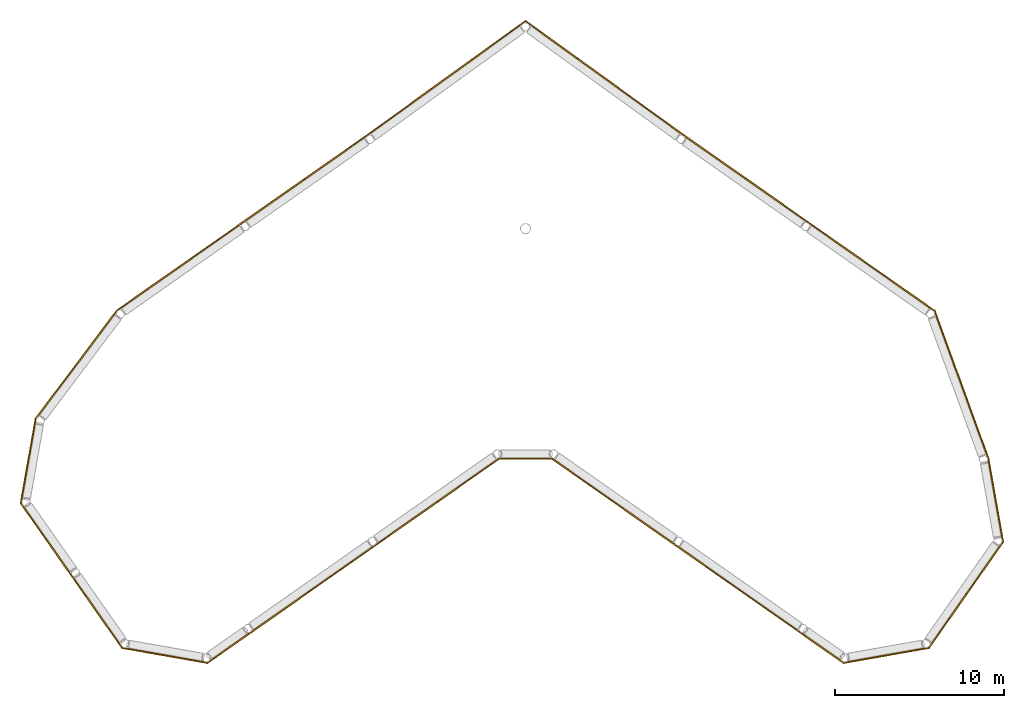
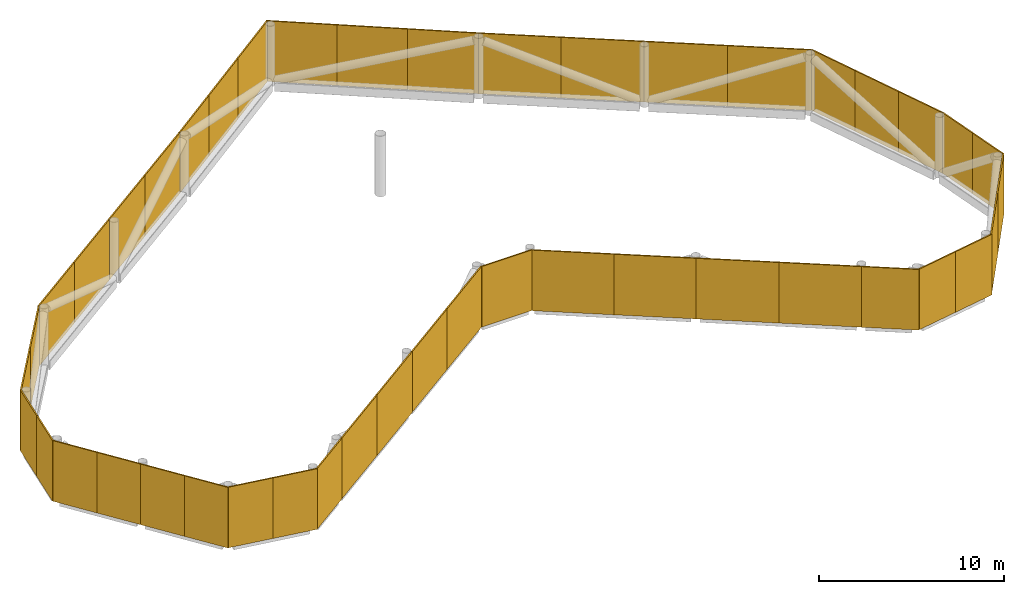
# One storey, part 4 of 4: 44 coverings.
"""IFC4 building model written with IfcOpenShell, lengths in metres."""

from ifc_helpers import new_model, si_unit, direction, frame, origin, origin_2d, place, context, subcontext, project, spatial, rectangle, extrude, material, layer, layer_set, type_object, element, save


model = new_model("IFC4")

# Units and contexts
model_context = context("Model", 3, precision=1e-05, world=origin(), true_north=direction((0.0, 1.0)))
body_context = subcontext(model_context, "Body", "Model", "MODEL_VIEW")
ifc_project = project(units=[si_unit("LENGTHUNIT", "METRE"), si_unit("AREAUNIT", "SQUARE_METRE"), si_unit("VOLUMEUNIT", "CUBIC_METRE"), si_unit("PLANEANGLEUNIT", "RADIAN"), si_unit("MASSUNIT", "GRAM", prefix="KILO")], contexts=[model_context])

# Site, building, storey
site_placement = place(None, origin())
site = spatial("IfcSite", under=ifc_project, at=site_placement, CompositionType="ELEMENT")
building_placement = place(site_placement, origin())
building = spatial("IfcBuilding", under=site, at=building_placement, Name="Tel Ilan Convention Tower", CompositionType="ELEMENT")
storey_placement = place(building_placement, frame((0.0, 0.0, 322.800048828125)))
storey = spatial("IfcBuildingStorey", under=building, at=storey_placement, Name="L76", CompositionType="ELEMENT", Elevation=322.800048828125)

# Coverings
ifc_material = material(Name="Perforated aluminium sheet, bronze anodised", Category="aluminium")
ifc_layer = layer(ifc_material, 0.080078125)
ifc_layer_set = layer_set([ifc_layer], Name="CROWN SCREEN CLADDING 80")
covering_type = type_object("IfcCoveringType", Name="CROWN SCREEN CLADDING 80", PredefinedType="CLADDING", material=ifc_layer_set)
covering_1_placement = place(storey_placement, frame((-17.488525390625, -24.74658203125, 0.0), z_axis=(0.0, 0.0, 1.0), x_axis=(0.819059611512, 0.573708421404, 0.0)))
element("IfcCovering", 1, at=covering_1_placement, inside=storey, type_object=covering_type, Name="Crown screen", PredefinedType="CLADDING", context=body_context, shape_type="SweptSolid", body=[
    extrude(rectangle(XDim=3.119873046875, YDim=0.080078125, at=origin_2d()), origin(), (0.0, 0.0, 1.0), 4.0),
])
for number, where, z_axis, x_axis, name in (
    (2, (-14.367919921875, -22.56103515625, 0.0), (0.0, 0.0, 1.0), (0.819148388269, 0.573581657653, 0.0), "Crown screen"),
    (3, (-10.681884765625, -19.980224609375, 0.0), (0.0, 0.0, 1.0), (0.819148388269, 0.573581657653, 0.0), "Crown screen"),
):
    element("IfcCovering", number, at=place(storey_placement, frame(where, z_axis=z_axis, x_axis=x_axis)), inside=storey, type_object=covering_type, Name=name, PredefinedType="CLADDING", context=body_context, shape_type="SweptSolid", body=[
        extrude(rectangle(XDim=4.499755859375, YDim=0.080078125, at=origin_2d()), origin(), (0.0, 0.0, 1.0), 4.0),
    ])
for number, where, z_axis, x_axis, name in (
    (4, (-7.014404296875, -17.412109375, 0.0), (0.0, 0.0, 1.0), (0.819184940043, 0.573529453477, 0.0), "Crown screen"),
    (5, (-3.365234375, -14.857421875, 0.0), (0.0, 0.0, 1.0), (0.819184940043, 0.573529453477, 0.0), "Crown screen"),
):
    element("IfcCovering", number, at=place(storey_placement, frame(where, z_axis=z_axis, x_axis=x_axis)), inside=storey, type_object=covering_type, Name=name, PredefinedType="CLADDING", context=body_context, shape_type="SweptSolid", body=[
        extrude(rectangle(XDim=4.45458984375, YDim=0.080078125, at=origin_2d()), origin(), (0.0, 0.0, 1.0), 4.0),
    ])
covering_2_placement = place(storey_placement, frame((0.0400390625, -13.60302734375, 0.0), z_axis=(0.0, 0.0, 1.0), x_axis=(1.0, 0.0, 0.0)))
element("IfcCovering", 6, at=covering_2_placement, inside=storey, type_object=covering_type, Name="Crown screen", PredefinedType="CLADDING", context=body_context, shape_type="SweptSolid", body=[
    extrude(rectangle(XDim=3.147216796875, YDim=0.080078125, at=origin_2d()), origin(), (0.0, 0.0, 1.0), 4.0),
])
for number, where, z_axis, x_axis, name in (
    (7, (3.430908203125, -14.9033203125, 0.0), (0.0, 0.0, 1.0), (0.819184940043, -0.573529453477, 0.0), "Crown screen"),
    (8, (7.079833984375, -17.4580078125, 0.0), (0.0, 0.0, 1.0), (0.819184940043, -0.573529453477, 0.0), "Crown screen"),
):
    element("IfcCovering", number, at=place(storey_placement, frame(where, z_axis=z_axis, x_axis=x_axis)), inside=storey, type_object=covering_type, Name=name, PredefinedType="CLADDING", context=body_context, shape_type="SweptSolid", body=[
        extrude(rectangle(XDim=4.45458984375, YDim=0.080078125, at=origin_2d()), origin(), (0.0, 0.0, 1.0), 4.0),
    ])
for number, where, z_axis, x_axis, name in (
    (9, (10.747314453125, -20.02587890625, 0.0), (0.0, 0.0, 1.0), (0.819148388269, -0.573581657653, 0.0), "Crown screen"),
    (10, (14.433349609375, -22.60693359375, 0.0), (0.0, 0.0, 1.0), (0.819148388269, -0.573581657653, 0.0), "Crown screen"),
):
    element("IfcCovering", number, at=place(storey_placement, frame(where, z_axis=z_axis, x_axis=x_axis)), inside=storey, type_object=covering_type, Name=name, PredefinedType="CLADDING", context=body_context, shape_type="SweptSolid", body=[
        extrude(rectangle(XDim=4.499755859375, YDim=0.080078125, at=origin_2d()), origin(), (0.0, 0.0, 1.0), 4.0),
    ])
covering_3_placement = place(storey_placement, frame((17.55419921875, -24.79248046875, 0.0), z_axis=(0.0, 0.0, 1.0), x_axis=(0.819059611512, -0.573708421404, 0.0)))
element("IfcCovering", 11, at=covering_3_placement, inside=storey, type_object=covering_type, Name="Crown screen", PredefinedType="CLADDING", context=body_context, shape_type="SweptSolid", body=[
    extrude(rectangle(XDim=3.119873046875, YDim=0.080078125, at=origin_2d()), origin(), (0.0, 0.0, 1.0), 4.0),
])
for number, where, z_axis, x_axis, name in (
    (12, (20.098876953125, -25.435302734375, 0.0), (0.0, 0.0, 1.0), (0.984816554197, 0.173598256268, 0.0), "Crown screen"),
    (13, (22.61962890625, -24.990966796875, 0.0), (0.0, 0.0, 1.0), (0.984816554197, 0.173598256268, 0.0), "Crown screen"),
):
    element("IfcCovering", number, at=place(storey_placement, frame(where, z_axis=z_axis, x_axis=x_axis)), inside=storey, type_object=covering_type, Name=name, PredefinedType="CLADDING", context=body_context, shape_type="SweptSolid", body=[
        extrude(rectangle(XDim=2.5595703125, YDim=0.080078125, at=origin_2d()), origin(), (0.0, 0.0, 1.0), 4.0),
    ])
for number, where, z_axis, x_axis, name in (
    (14, (24.959228515625, -23.17822265625, 0.0), (0.0, 0.0, 1.0), (0.573607436495, 0.81913033688, 0.0), "Crown screen"),
    (15, (27.150634765625, -20.048828125, 0.0), (0.0, 0.0, 1.0), (0.573607436495, 0.81913033688, 0.0), "Crown screen"),
):
    element("IfcCovering", number, at=place(storey_placement, frame(where, z_axis=z_axis, x_axis=x_axis)), inside=storey, type_object=covering_type, Name=name, PredefinedType="CLADDING", context=body_context, shape_type="SweptSolid", body=[
        extrude(rectangle(XDim=3.8203125, YDim=0.080078125, at=origin_2d()), origin(), (0.0, 0.0, 1.0), 4.0),
    ])
for number, where, z_axis, x_axis, name in (
    (16, (27.99853515625, -17.240478515625, 0.0), (0.0, 0.0, 1.0), (-0.173598256268, 0.984816554197, 0.0), "Crown screen"),
    (17, (27.562255859375, -14.766357421875, 0.0), (0.0, 0.0, 1.0), (-0.173598256268, 0.984816554197, 0.0), "Crown screen"),
):
    element("IfcCovering", number, at=place(storey_placement, frame(where, z_axis=z_axis, x_axis=x_axis)), inside=storey, type_object=covering_type, Name=name, PredefinedType="CLADDING", context=body_context, shape_type="SweptSolid", body=[
        extrude(rectangle(XDim=2.51220703125, YDim=0.080078125, at=origin_2d()), origin(), (0.0, 0.0, 1.0), 4.0),
    ])
for number, where, z_axis, x_axis, name in (
    (18, (26.80859375, -12.0791015625, 0.0), (0.0, 0.0, 1.0), (-0.342225395125, 0.939617889853, 0.0), "Crown screen"),
    (19, (25.7509765625, -9.17529296875, 0.0), (0.0, 0.0, 1.0), (-0.342225395125, 0.939617889853, 0.0), "Crown screen"),
    (20, (24.693359375, -6.271240234375, 0.0), (0.0, 0.0, 1.0), (-0.342225395125, 0.939617889853, 0.0), "Crown screen"),
):
    element("IfcCovering", number, at=place(storey_placement, frame(where, z_axis=z_axis, x_axis=x_axis)), inside=storey, type_object=covering_type, Name=name, PredefinedType="CLADDING", context=body_context, shape_type="SweptSolid", body=[
        extrude(rectangle(XDim=3.090576171875, YDim=0.080078125, at=origin_2d()), origin(), (0.0, 0.0, 1.0), 4.0),
    ])
for number, where, z_axis, x_axis, name in (
    (21, (22.28369140625, -3.530029296875, 0.0), (0.0, 0.0, 1.0), (-0.819096180436, 0.573656209934, 0.0), "Crown screen"),
    (22, (18.560302734375, -0.92236328125, 0.0), (0.0, 0.0, 1.0), (-0.819096180436, 0.573656209934, 0.0), "Crown screen"),
):
    element("IfcCovering", number, at=place(storey_placement, frame(where, z_axis=z_axis, x_axis=x_axis)), inside=storey, type_object=covering_type, Name=name, PredefinedType="CLADDING", context=body_context, shape_type="SweptSolid", body=[
        extrude(rectangle(XDim=4.545654296875, YDim=0.080078125, at=origin_2d()), origin(), (0.0, 0.0, 1.0), 4.0),
    ])
for number, where, z_axis, x_axis, name in (
    (23, (14.85595703125, 1.671630859375, 0.0), (0.0, 0.0, 1.0), (-0.819148388189, 0.573581657768, 0.0), "Crown screen"),
    (24, (11.1708984375, 4.252197265625, 0.0), (0.0, 0.0, 1.0), (-0.819148388189, 0.573581657768, 0.0), "Crown screen"),
):
    element("IfcCovering", number, at=place(storey_placement, frame(where, z_axis=z_axis, x_axis=x_axis)), inside=storey, type_object=covering_type, Name=name, PredefinedType="CLADDING", context=body_context, shape_type="SweptSolid", body=[
        extrude(rectangle(XDim=4.498779296875, YDim=0.080078125, at=origin_2d()), origin(), (0.0, 0.0, 1.0), 4.0),
    ])
for number, where, z_axis, x_axis, name in (
    (25, (7.768310546875, 6.668701171875, 0.0), (0.0, 0.0, 1.0), (-0.810862932708, 0.585236109925, 0.0), "Crown screen"),
    (26, (4.648193359375, 8.9208984375, 0.0), (0.0, 0.0, 1.0), (-0.810862932708, 0.585236109925, 0.0), "Crown screen"),
    (27, (1.52783203125, 11.173095703125, 0.0), (0.0, 0.0, 1.0), (-0.810862932708, 0.585236109925, 0.0), "Crown screen"),
    (28, (-1.592529296875, 11.126220703125, 0.0), (0.0, 0.0, 1.0), (-0.810862932708, -0.585236109925, 0.0), "Crown screen"),
    (29, (-4.712890625, 8.8740234375, 0.0), (0.0, 0.0, 1.0), (-0.810862932708, -0.585236109925, 0.0), "Crown screen"),
    (30, (-7.833251953125, 6.6220703125, 0.0), (0.0, 0.0, 1.0), (-0.810862932708, -0.585236109925, 0.0), "Crown screen"),
):
    element("IfcCovering", number, at=place(storey_placement, frame(where, z_axis=z_axis, x_axis=x_axis)), inside=storey, type_object=covering_type, Name=name, PredefinedType="CLADDING", context=body_context, shape_type="SweptSolid", body=[
        extrude(rectangle(XDim=3.84814453125, YDim=0.080078125, at=origin_2d()), origin(), (0.0, 0.0, 1.0), 4.0),
    ])
for number, where, z_axis, x_axis, name in (
    (31, (-11.236328125, 4.206298828125, 0.0), (0.0, 0.0, 1.0), (-0.819148388269, -0.573581657653, 0.0), "Crown screen"),
    (32, (-14.921630859375, 1.625732421875, 0.0), (0.0, 0.0, 1.0), (-0.819148388269, -0.573581657653, 0.0), "Crown screen"),
):
    element("IfcCovering", number, at=place(storey_placement, frame(where, z_axis=z_axis, x_axis=x_axis)), inside=storey, type_object=covering_type, Name=name, PredefinedType="CLADDING", context=body_context, shape_type="SweptSolid", body=[
        extrude(rectangle(XDim=4.498779296875, YDim=0.080078125, at=origin_2d()), origin(), (0.0, 0.0, 1.0), 4.0),
    ])
for number, where, z_axis, x_axis, name in (
    (33, (-18.616455078125, -0.961669921875, 0.0), (0.0, 0.0, 1.0), (-0.819096180516, -0.57365620982, 0.0), "Crown screen"),
    (34, (-22.321533203125, -3.556396484375, 0.0), (0.0, 0.0, 1.0), (-0.819096180516, -0.57365620982, 0.0), "Crown screen"),
):
    element("IfcCovering", number, at=place(storey_placement, frame(where, z_axis=z_axis, x_axis=x_axis)), inside=storey, type_object=covering_type, Name=name, PredefinedType="CLADDING", context=body_context, shape_type="SweptSolid", body=[
        extrude(rectangle(XDim=4.523193359375, YDim=0.080078125, at=origin_2d()), origin(), (0.0, 0.0, 1.0), 4.0),
    ])
for number, where, z_axis, x_axis, name in (
    (35, (-25.3671875, -6.462890625, 0.0), (0.0, 0.0, 1.0), (-0.600648741526, -0.799513032604, 0.0), "Crown screen"),
    (36, (-27.771484375, -9.6630859375, 0.0), (0.0, 0.0, 1.0), (-0.600648741526, -0.799513032604, 0.0), "Crown screen"),
):
    element("IfcCovering", number, at=place(storey_placement, frame(where, z_axis=z_axis, x_axis=x_axis)), inside=storey, type_object=covering_type, Name=name, PredefinedType="CLADDING", context=body_context, shape_type="SweptSolid", body=[
        extrude(rectangle(XDim=4.002685546875, YDim=0.080078125, at=origin_2d()), origin(), (0.0, 0.0, 1.0), 4.0),
    ])
for number, where, z_axis, x_axis, name in (
    (37, (-29.176513671875, -12.5185546875, 0.0), (0.0, 0.0, 1.0), (-0.173598256268, -0.984816554197, 0.0), "Crown screen"),
    (38, (-29.616455078125, -15.014404296875, 0.0), (0.0, 0.0, 1.0), (-0.173598256268, -0.984816554197, 0.0), "Crown screen"),
):
    element("IfcCovering", number, at=place(storey_placement, frame(where, z_axis=z_axis, x_axis=x_axis)), inside=storey, type_object=covering_type, Name=name, PredefinedType="CLADDING", context=body_context, shape_type="SweptSolid", body=[
        extrude(rectangle(XDim=2.5341796875, YDim=0.080078125, at=origin_2d()), origin(), (0.0, 0.0, 1.0), 4.0),
    ])
for number, where, z_axis, x_axis, name in (
    (39, (-29.05810546875, -17.32470703125, 0.0), (0.0, 0.0, 1.0), (0.573514980355, -0.819195072805, 0.0), "Crown screen"),
    (40, (-27.56103515625, -19.462890625, 0.0), (0.0, 0.0, 1.0), (0.573514980355, -0.819195072805, 0.0), "Crown screen"),
):
    element("IfcCovering", number, at=place(storey_placement, frame(where, z_axis=z_axis, x_axis=x_axis)), inside=storey, type_object=covering_type, Name=name, PredefinedType="CLADDING", context=body_context, shape_type="SweptSolid", body=[
        extrude(rectangle(XDim=2.610107421875, YDim=0.080078125, at=origin_2d()), origin(), (0.0, 0.0, 1.0), 4.0),
    ])
for number, where, z_axis, x_axis, name in (
    (41, (-26.06396484375, -21.60107421875, 0.0), (0.0, 0.0, 1.0), (0.573646538701, -0.819102953625, 0.0), "Crown screen"),
    (42, (-24.56640625, -23.739501953125, 0.0), (0.0, 0.0, 1.0), (0.573646538701, -0.819102953625, 0.0), "Crown screen"),
):
    element("IfcCovering", number, at=place(storey_placement, frame(where, z_axis=z_axis, x_axis=x_axis)), inside=storey, type_object=covering_type, Name=name, PredefinedType="CLADDING", context=body_context, shape_type="SweptSolid", body=[
        extrude(rectangle(XDim=2.6103515625, YDim=0.080078125, at=origin_2d()), origin(), (0.0, 0.0, 1.0), 4.0),
    ])
for number, where, z_axis, x_axis, name in (
    (43, (-22.540771484375, -25.0048828125, 0.0), (0.0, 0.0, 1.0), (0.984816554197, -0.173598256268, 0.0), "Crown screen"),
    (44, (-20.02001953125, -25.44921875, 0.0), (0.0, 0.0, 1.0), (0.984816554197, -0.173598256268, 0.0), "Crown screen"),
):
    element("IfcCovering", number, at=place(storey_placement, frame(where, z_axis=z_axis, x_axis=x_axis)), inside=storey, type_object=covering_type, Name=name, PredefinedType="CLADDING", context=body_context, shape_type="SweptSolid", body=[
        extrude(rectangle(XDim=2.5595703125, YDim=0.080078125, at=origin_2d()), origin(), (0.0, 0.0, 1.0), 4.0),
    ])

save(model, "model.ifc")
